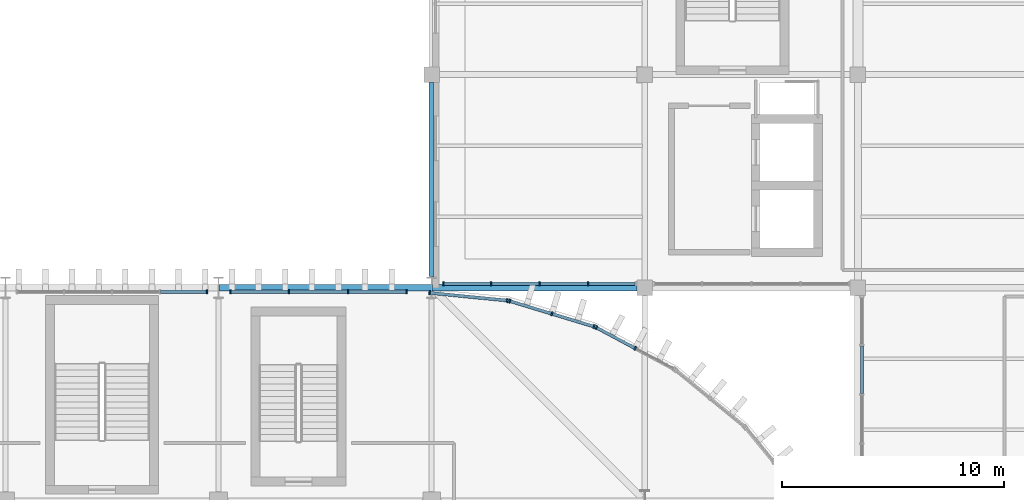
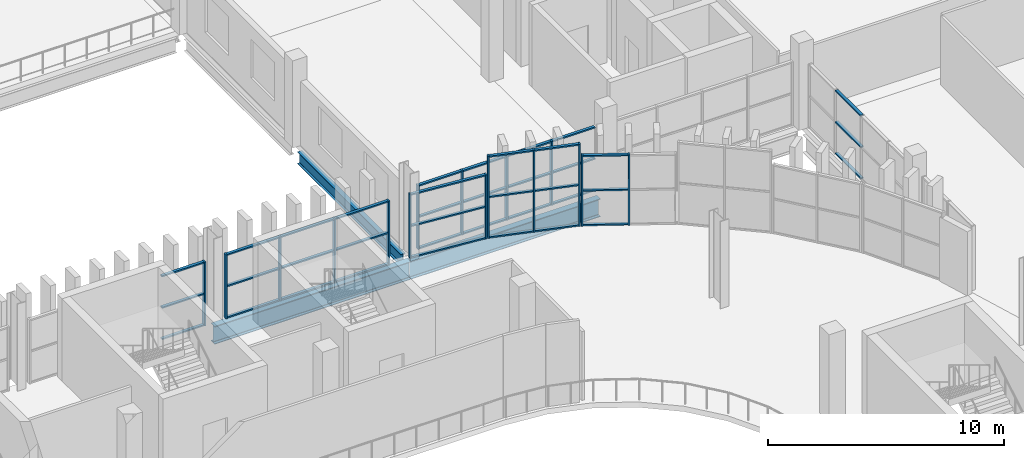
# One storey, part 27 of 75: 55 members, 3 beams, 7 elements without a shape of their own.
"""IFC4 building model written with IfcOpenShell, lengths in metres."""

from ifc_helpers import new_model, si_unit, direction, frame, origin, origin_2d, place, context, subcontext, project, spatial, rectangle, i_section, extrude, material, layer, layer_set, material_profile, profile_set, type_object, element, aggregate, save


model = new_model("IFC4")

# Units and contexts
model_context = context("Model", 3, precision=1e-05, world=origin(), true_north=direction((0.0, 1.0)))
body_context = subcontext(model_context, "Body", "Model", "MODEL_VIEW")
ifc_project = project(units=[si_unit("LENGTHUNIT", "METRE"), si_unit("AREAUNIT", "SQUARE_METRE"), si_unit("VOLUMEUNIT", "CUBIC_METRE"), si_unit("PLANEANGLEUNIT", "RADIAN"), si_unit("MASSUNIT", "GRAM", prefix="KILO")], contexts=[model_context])

# Site, building, storey
site_placement = place(None, origin())
site = spatial("IfcSite", under=ifc_project, at=site_placement, CompositionType="ELEMENT")
building_placement = place(site_placement, origin())
building = spatial("IfcBuilding", under=site, at=building_placement, Name="Caelomonte Colonnade Arena", CompositionType="ELEMENT")
storey_placement = place(building_placement, frame((0.0, 0.0, 14.10009765625)))
storey = spatial("IfcBuildingStorey", under=building, at=storey_placement, Name="L03", CompositionType="ELEMENT", Elevation=14.10009765625)

# Curtain wall, members
ifc_material_1 = material(Name="Bronze anodised aluminium and low-E glazing", Category="aluminium")
ifc_layer_1 = layer(ifc_material_1, 0.179931640625)
ifc_layer_set_1 = layer_set([ifc_layer_1], Name="Bronze anodised aluminium and low-E glazing")
curtain_wall_type_1 = type_object("IfcCurtainWallType", Name="ENV-CW-CW-L03-96-33", PredefinedType="USERDEFINED", material=ifc_layer_set_1)
curtain_wall_1_placement = place(storey_placement, origin())
curtain_wall_1 = element("IfcCurtainWall", 1, at=curtain_wall_1_placement, inside=storey, type_object=curtain_wall_type_1, Name="L03 unitized curtain wall CW-L03-1488-1154", ObjectType="UNITIZED CURTAIN WALL", PredefinedType="USERDEFINED")
ifc_material_2 = material(Name="Bronze anodised aluminium AA6063-T6", Category="aluminium")
ifc_material_profile_1 = material_profile(ifc_material_2, rectangle(XDim=0.070068359375, YDim=0.179931640625, at=origin_2d()), Name="CWM-70X180")
ifc_profile_set_1 = profile_set([ifc_material_profile_1], Name="Bronze anodised aluminium AA6063-T6")
member_type_1 = type_object("IfcMemberType", Name="ENV-CW-MULL1", PredefinedType="MULLION", material=ifc_profile_set_1)
member_1_placement = place(storey_placement, frame((144.52880859375, 115.3798828125, 0.0), z_axis=(0.0, 0.0, 1.0), x_axis=(1.0, 0.0, 0.0)))
member_1 = element("IfcMember", 2, at=member_1_placement, type_object=member_type_1, Name="CW-L03-96-33 mullion 1", PredefinedType="MULLION", context=body_context, shape_type="SweptSolid", body=[
    extrude(rectangle(XDim=0.070068359375, YDim=0.179931640625, at=origin_2d()), origin(), (0.0, 0.0, 1.0), 3.312744140625),
])
member_2_placement = place(storey_placement, frame((146.677734375, 115.3798828125, 0.0), z_axis=(0.0, 0.0, 1.0), x_axis=(1.0, 0.0, 0.0)))
member_2 = element("IfcMember", 3, at=member_2_placement, type_object=member_type_1, Name="CW-L03-96-33 mullion 2", PredefinedType="MULLION", context=body_context, shape_type="SweptSolid", body=[
    extrude(rectangle(XDim=0.070068359375, YDim=0.179931640625, at=origin_2d()), origin(), (0.0, 0.0, 1.0), 3.312744140625),
])
member_3_placement = place(storey_placement, frame((148.86181640625, 115.3798828125, 0.0), z_axis=(0.0, 0.0, 1.0), x_axis=(1.0, 0.0, 0.0)))
member_3 = element("IfcMember", 4, at=member_3_placement, type_object=member_type_1, Name="CW-L03-96-33 mullion 3", PredefinedType="MULLION", context=body_context, shape_type="SweptSolid", body=[
    extrude(rectangle(XDim=0.070068359375, YDim=0.179931640625, at=origin_2d()), origin(), (0.0, 0.0, 1.0), 3.312744140625),
])
member_4_placement = place(storey_placement, frame((151.0458984375, 115.3798828125, 0.0), z_axis=(0.0, 0.0, 1.0), x_axis=(1.0, 0.0, 0.0)))
member_4 = element("IfcMember", 5, at=member_4_placement, type_object=member_type_1, Name="CW-L03-96-33 mullion 4", PredefinedType="MULLION", context=body_context, shape_type="SweptSolid", body=[
    extrude(rectangle(XDim=0.070068359375, YDim=0.179931640625, at=origin_2d()), origin(), (0.0, 0.0, 1.0), 3.312744140625),
])

ifc_layer_2 = layer(ifc_material_1, 0.179931640625)
ifc_layer_set_2 = layer_set([ifc_layer_2], Name="Bronze anodised aluminium and low-E glazing")
curtain_wall_type_2 = type_object("IfcCurtainWallType", Name="ENV-CW-CW-L03-44-36", PredefinedType="USERDEFINED", material=ifc_layer_set_2)
curtain_wall_2_placement = place(storey_placement, origin())
curtain_wall_2 = element("IfcCurtainWall", 6, at=curtain_wall_2_placement, inside=storey, type_object=curtain_wall_type_2, Name="L03 unitized curtain wall CW-L03-1532-1125", ObjectType="UNITIZED CURTAIN WALL", PredefinedType="USERDEFINED")
member_5_placement = place(storey_placement, frame((153.166748046875, 112.472412109375, 0.0), z_axis=(0.0, 0.0, 1.0), x_axis=(-0.881922613642, 0.471394212466, 0.0)))
member_5 = element("IfcMember", 7, at=member_5_placement, type_object=member_type_1, Name="CW-L03-44-36 mullion 2", PredefinedType="MULLION", context=body_context, shape_type="SweptSolid", body=[
    extrude(rectangle(XDim=0.070068359375, YDim=0.179931640625, at=origin_2d()), origin(), (0.0, 0.0, 1.0), 3.637939453125),
])
member_6_placement = place(storey_placement, frame((151.417724609375, 113.407470703125, 0.0), z_axis=(0.0, 0.0, 1.0), x_axis=(-0.881922613642, 0.471394212466, 0.0)))
member_6 = element("IfcMember", 8, at=member_6_placement, type_object=member_type_1, Name="CW-L03-44-36 mullion 3", PredefinedType="MULLION", context=body_context, shape_type="SweptSolid", body=[
    extrude(rectangle(XDim=0.070068359375, YDim=0.179931640625, at=origin_2d()), origin(), (0.0, 0.0, 1.0), 3.637939453125),
])

ifc_layer_3 = layer(ifc_material_1, 0.179931640625)
ifc_layer_set_3 = layer_set([ifc_layer_3], Name="Bronze anodised aluminium and low-E glazing")
curtain_wall_type_3 = type_object("IfcCurtainWallType", Name="ENV-CW-CW-L03-44-42", PredefinedType="USERDEFINED", material=ifc_layer_set_3)
curtain_wall_3_placement = place(storey_placement, origin())
curtain_wall_3 = element("IfcCurtainWall", 9, at=curtain_wall_3_placement, inside=storey, type_object=curtain_wall_type_3, Name="L03 unitized curtain wall CW-L03-1494-1140", ObjectType="UNITIZED CURTAIN WALL", PredefinedType="USERDEFINED")
member_7_placement = place(storey_placement, frame((151.3125, 113.451171875, 0.0), z_axis=(0.0, 0.0, 1.0), x_axis=(-0.956949160999, 0.290255582655, 0.0)))
member_7 = element("IfcMember", 10, at=member_7_placement, type_object=member_type_1, Name="CW-L03-44-42 mullion 1", PredefinedType="MULLION", context=body_context, shape_type="SweptSolid", body=[
    extrude(rectangle(XDim=0.070068359375, YDim=0.179931640625, at=origin_2d()), origin(), (0.0, 0.0, 1.0), 4.239990234375),
])
member_8_placement = place(storey_placement, frame((149.414306640625, 114.02685546875, 0.0), z_axis=(0.0, 0.0, 1.0), x_axis=(-0.956949160999, 0.290255582655, 0.0)))
member_8 = element("IfcMember", 11, at=member_8_placement, type_object=member_type_1, Name="CW-L03-44-42 mullion 2", PredefinedType="MULLION", context=body_context, shape_type="SweptSolid", body=[
    extrude(rectangle(XDim=0.070068359375, YDim=0.179931640625, at=origin_2d()), origin(), (0.0, 0.0, 1.0), 4.239990234375),
])
member_9_placement = place(storey_placement, frame((147.516357421875, 114.6025390625, 0.0), z_axis=(0.0, 0.0, 1.0), x_axis=(-0.956949160999, 0.290255582655, 0.0)))
member_9 = element("IfcMember", 12, at=member_9_placement, type_object=member_type_1, Name="CW-L03-44-42 mullion 3", PredefinedType="MULLION", context=body_context, shape_type="SweptSolid", body=[
    extrude(rectangle(XDim=0.070068359375, YDim=0.179931640625, at=origin_2d()), origin(), (0.0, 0.0, 1.0), 4.239990234375),
])

ifc_layer_4 = layer(ifc_material_1, 0.179931640625)
ifc_layer_set_4 = layer_set([ifc_layer_4], Name="Bronze anodised aluminium and low-E glazing")
curtain_wall_type_4 = type_object("IfcCurtainWallType", Name="ENV-CW-CW-L03-42-33", PredefinedType="USERDEFINED", material=ifc_layer_set_4)
curtain_wall_4_placement = place(storey_placement, origin())
curtain_wall_4 = element("IfcCurtainWall", 13, at=curtain_wall_4_placement, inside=storey, type_object=curtain_wall_type_4, Name="L03 unitized curtain wall CW-L03-1455-1148", ObjectType="UNITIZED CURTAIN WALL", PredefinedType="USERDEFINED")
member_10_placement = place(storey_placement, frame((147.404541015625, 114.624755859375, 0.0), z_axis=(0.0, 0.0, 1.0), x_axis=(-0.995184476904, 0.09801967624, 0.0)))
member_10 = element("IfcMember", 14, at=member_10_placement, type_object=member_type_1, Name="CW-L03-42-33 mullion 1", PredefinedType="MULLION", context=body_context, shape_type="SweptSolid", body=[
    extrude(rectangle(XDim=0.070068359375, YDim=0.179931640625, at=origin_2d()), origin(), (0.0, 0.0, 1.0), 3.312744140625),
])
member_11_placement = place(storey_placement, frame((143.908447265625, 114.968994140625, 0.0), z_axis=(0.0, 0.0, 1.0), x_axis=(-0.995184476904, 0.09801967624, 0.0)))
member_11 = element("IfcMember", 15, at=member_11_placement, type_object=member_type_1, Name="CW-L03-42-33 mullion 2", PredefinedType="MULLION", context=body_context, shape_type="SweptSolid", body=[
    extrude(rectangle(XDim=0.070068359375, YDim=0.179931640625, at=origin_2d()), origin(), (0.0, 0.0, 1.0), 3.312744140625),
])

ifc_layer_5 = layer(ifc_material_1, 0.179931640625)
ifc_layer_set_5 = layer_set([ifc_layer_5], Name="Bronze anodised aluminium and low-E glazing")
curtain_wall_type_5 = type_object("IfcCurtainWallType", Name="ENV-CW-CW-L03-90-33", PredefinedType="USERDEFINED", material=ifc_layer_set_5)
curtain_wall_5_placement = place(storey_placement, origin())
curtain_wall_5 = element("IfcCurtainWall", 16, at=curtain_wall_5_placement, inside=storey, type_object=curtain_wall_type_5, Name="L03 unitized curtain wall CW-L03-1389-1150", ObjectType="UNITIZED CURTAIN WALL", PredefinedType="USERDEFINED")
member_12_placement = place(storey_placement, frame((142.871337890625, 115.02001953125, 0.0), z_axis=(0.0, 0.0, 1.0), x_axis=(-1.0, 0.0, 0.0)))
member_12 = element("IfcMember", 17, at=member_12_placement, type_object=member_type_1, Name="CW-L03-90-33 mullion 1", PredefinedType="MULLION", context=body_context, shape_type="SweptSolid", body=[
    extrude(rectangle(XDim=0.070068359375, YDim=0.179931640625, at=origin_2d()), origin(), (0.0, 0.0, 1.0), 3.312744140625),
])
member_13_placement = place(storey_placement, frame((140.2353515625, 115.02001953125, 0.0), z_axis=(0.0, 0.0, 1.0), x_axis=(-1.0, 0.0, 0.0)))
member_13 = element("IfcMember", 18, at=member_13_placement, type_object=member_type_1, Name="CW-L03-90-33 mullion 2", PredefinedType="MULLION", context=body_context, shape_type="SweptSolid", body=[
    extrude(rectangle(XDim=0.070068359375, YDim=0.179931640625, at=origin_2d()), origin(), (0.0, 0.0, 1.0), 3.312744140625),
])
member_14_placement = place(storey_placement, frame((137.564453125, 115.02001953125, 0.0), z_axis=(0.0, 0.0, 1.0), x_axis=(-1.0, 0.0, 0.0)))
member_14 = element("IfcMember", 19, at=member_14_placement, type_object=member_type_1, Name="CW-L03-90-33 mullion 3", PredefinedType="MULLION", context=body_context, shape_type="SweptSolid", body=[
    extrude(rectangle(XDim=0.070068359375, YDim=0.179931640625, at=origin_2d()), origin(), (0.0, 0.0, 1.0), 3.312744140625),
])
member_15_placement = place(storey_placement, frame((134.9287109375, 115.02001953125, 0.0), z_axis=(0.0, 0.0, 1.0), x_axis=(-1.0, 0.0, 0.0)))
member_15 = element("IfcMember", 20, at=member_15_placement, type_object=member_type_1, Name="CW-L03-90-33 mullion 4", PredefinedType="MULLION", context=body_context, shape_type="SweptSolid", body=[
    extrude(rectangle(XDim=0.070068359375, YDim=0.179931640625, at=origin_2d()), origin(), (0.0, 0.0, 1.0), 3.312744140625),
])

# Curtain wall, member
curtain_wall_6_placement = place(storey_placement, origin())
curtain_wall_6 = element("IfcCurtainWall", 21, at=curtain_wall_6_placement, inside=storey, type_object=curtain_wall_type_1, Name="L03 unitized curtain wall CW-L03-1296-1150", ObjectType="UNITIZED CURTAIN WALL", PredefinedType="USERDEFINED")
member_16_placement = place(storey_placement, frame((133.871337890625, 115.02001953125, 0.0), z_axis=(0.0, 0.0, 1.0), x_axis=(-1.0, 0.0, 0.0)))
member_16 = element("IfcMember", 22, at=member_16_placement, type_object=member_type_1, Name="CW-L03-96-33 mullion 1", PredefinedType="MULLION", context=body_context, shape_type="SweptSolid", body=[
    extrude(rectangle(XDim=0.070068359375, YDim=0.179931640625, at=origin_2d()), origin(), (0.0, 0.0, 1.0), 3.312744140625),
])

# Member
ifc_material_profile_2 = material_profile(ifc_material_2, rectangle(XDim=0.070068359375, YDim=0.139892578125, at=origin_2d()), Name="CWT-70X140")
ifc_profile_set_2 = profile_set([ifc_material_profile_2], Name="Bronze anodised aluminium AA6063-T6")
member_type_2 = type_object("IfcMemberType", Name="ENV-CW-TRAN1", PredefinedType="USERDEFINED", material=ifc_profile_set_2)
member_17_placement = place(storey_placement, frame((144.563720703125, 115.3798828125, 0.034912109375), z_axis=(1.0, 0.0, 0.0), x_axis=(0.0, 0.0, 1.0)))
member_17 = element("IfcMember", 23, at=member_17_placement, type_object=member_type_2, Name="CW-L03-96-33 transom 1.1", ObjectType="TRANSOM", PredefinedType="USERDEFINED", context=body_context, shape_type="SweptSolid", body=[
    extrude(rectangle(XDim=0.070068359375, YDim=0.139892578125, at=origin_2d()), origin(), (0.0, 0.0, 1.0), 2.0791015625),
])

member_18_placement = place(storey_placement, frame((144.563720703125, 115.3798828125, 1.65625), z_axis=(1.0, 0.0, 0.0), x_axis=(0.0, 0.0, 1.0)))
member_18 = element("IfcMember", 24, at=member_18_placement, type_object=member_type_2, Name="CW-L03-96-33 transom 1.2", ObjectType="TRANSOM", PredefinedType="USERDEFINED", context=body_context, shape_type="SweptSolid", body=[
    extrude(rectangle(XDim=0.070068359375, YDim=0.139892578125, at=origin_2d()), origin(), (0.0, 0.0, 1.0), 2.0791015625),
])

member_19_placement = place(storey_placement, frame((144.563720703125, 115.3798828125, 3.277587890625), z_axis=(1.0, 0.0, 0.0), x_axis=(0.0, 0.0, 1.0)))
member_19 = element("IfcMember", 25, at=member_19_placement, type_object=member_type_2, Name="CW-L03-96-33 transom 1.3", ObjectType="TRANSOM", PredefinedType="USERDEFINED", context=body_context, shape_type="SweptSolid", body=[
    extrude(rectangle(XDim=0.070068359375, YDim=0.139892578125, at=origin_2d()), origin(), (0.0, 0.0, 1.0), 2.0791015625),
])

member_20_placement = place(storey_placement, frame((146.712890625, 115.3798828125, 0.034912109375), z_axis=(1.0, 0.0, 0.0), x_axis=(0.0, 0.0, 1.0)))
member_20 = element("IfcMember", 26, at=member_20_placement, type_object=member_type_2, Name="CW-L03-96-33 transom 2.1", ObjectType="TRANSOM", PredefinedType="USERDEFINED", context=body_context, shape_type="SweptSolid", body=[
    extrude(rectangle(XDim=0.070068359375, YDim=0.139892578125, at=origin_2d()), origin(), (0.0, 0.0, 1.0), 2.114013671875),
])

member_21_placement = place(storey_placement, frame((146.712890625, 115.3798828125, 1.65625), z_axis=(1.0, 0.0, 0.0), x_axis=(0.0, 0.0, 1.0)))
member_21 = element("IfcMember", 27, at=member_21_placement, type_object=member_type_2, Name="CW-L03-96-33 transom 2.2", ObjectType="TRANSOM", PredefinedType="USERDEFINED", context=body_context, shape_type="SweptSolid", body=[
    extrude(rectangle(XDim=0.070068359375, YDim=0.139892578125, at=origin_2d()), origin(), (0.0, 0.0, 1.0), 2.114013671875),
])

member_22_placement = place(storey_placement, frame((146.712890625, 115.3798828125, 3.277587890625), z_axis=(1.0, 0.0, 0.0), x_axis=(0.0, 0.0, 1.0)))
member_22 = element("IfcMember", 28, at=member_22_placement, type_object=member_type_2, Name="CW-L03-96-33 transom 2.3", ObjectType="TRANSOM", PredefinedType="USERDEFINED", context=body_context, shape_type="SweptSolid", body=[
    extrude(rectangle(XDim=0.070068359375, YDim=0.139892578125, at=origin_2d()), origin(), (0.0, 0.0, 1.0), 2.114013671875),
])

member_23_placement = place(storey_placement, frame((148.896728515625, 115.3798828125, 0.034912109375), z_axis=(1.0, 0.0, 0.0), x_axis=(0.0, 0.0, 1.0)))
member_23 = element("IfcMember", 29, at=member_23_placement, type_object=member_type_2, Name="CW-L03-96-33 transom 3.1", ObjectType="TRANSOM", PredefinedType="USERDEFINED", context=body_context, shape_type="SweptSolid", body=[
    extrude(rectangle(XDim=0.070068359375, YDim=0.139892578125, at=origin_2d()), origin(), (0.0, 0.0, 1.0), 2.1142578125),
])

member_24_placement = place(storey_placement, frame((148.896728515625, 115.3798828125, 1.65625), z_axis=(1.0, 0.0, 0.0), x_axis=(0.0, 0.0, 1.0)))
member_24 = element("IfcMember", 30, at=member_24_placement, type_object=member_type_2, Name="CW-L03-96-33 transom 3.2", ObjectType="TRANSOM", PredefinedType="USERDEFINED", context=body_context, shape_type="SweptSolid", body=[
    extrude(rectangle(XDim=0.070068359375, YDim=0.139892578125, at=origin_2d()), origin(), (0.0, 0.0, 1.0), 2.1142578125),
])

member_25_placement = place(storey_placement, frame((148.896728515625, 115.3798828125, 3.277587890625), z_axis=(1.0, 0.0, 0.0), x_axis=(0.0, 0.0, 1.0)))
member_25 = element("IfcMember", 31, at=member_25_placement, type_object=member_type_2, Name="CW-L03-96-33 transom 3.3", ObjectType="TRANSOM", PredefinedType="USERDEFINED", context=body_context, shape_type="SweptSolid", body=[
    extrude(rectangle(XDim=0.070068359375, YDim=0.139892578125, at=origin_2d()), origin(), (0.0, 0.0, 1.0), 2.1142578125),
])

member_26_placement = place(storey_placement, frame((151.080810546875, 115.3798828125, 0.034912109375), z_axis=(1.0, 0.0, 0.0), x_axis=(0.0, 0.0, 1.0)))
member_26 = element("IfcMember", 32, at=member_26_placement, type_object=member_type_2, Name="CW-L03-96-33 transom 4.1", ObjectType="TRANSOM", PredefinedType="USERDEFINED", context=body_context, shape_type="SweptSolid", body=[
    extrude(rectangle(XDim=0.070068359375, YDim=0.139892578125, at=origin_2d()), origin(), (0.0, 0.0, 1.0), 2.0791015625),
])

member_27_placement = place(storey_placement, frame((151.080810546875, 115.3798828125, 1.65625), z_axis=(1.0, 0.0, 0.0), x_axis=(0.0, 0.0, 1.0)))
member_27 = element("IfcMember", 33, at=member_27_placement, type_object=member_type_2, Name="CW-L03-96-33 transom 4.2", ObjectType="TRANSOM", PredefinedType="USERDEFINED", context=body_context, shape_type="SweptSolid", body=[
    extrude(rectangle(XDim=0.070068359375, YDim=0.139892578125, at=origin_2d()), origin(), (0.0, 0.0, 1.0), 2.0791015625),
])

member_28_placement = place(storey_placement, frame((151.080810546875, 115.3798828125, 3.277587890625), z_axis=(1.0, 0.0, 0.0), x_axis=(0.0, 0.0, 1.0)))
member_28 = element("IfcMember", 34, at=member_28_placement, type_object=member_type_2, Name="CW-L03-96-33 transom 4.3", ObjectType="TRANSOM", PredefinedType="USERDEFINED", context=body_context, shape_type="SweptSolid", body=[
    extrude(rectangle(XDim=0.070068359375, YDim=0.139892578125, at=origin_2d()), origin(), (0.0, 0.0, 1.0), 2.0791015625),
])

aggregate(curtain_wall_1, [member_1, member_2, member_3, member_4, member_17, member_18, member_19, member_20, member_21, member_22, member_23, member_24, member_25, member_26, member_27, member_28])

# Curtain wall, members
curtain_wall_7_placement = place(storey_placement, origin())
curtain_wall_7 = element("IfcCurtainWall", 35, at=curtain_wall_7_placement, inside=storey, type_object=curtain_wall_type_1, Name="L03 unitized curtain wall CW-L03-1634-1104", ObjectType="UNITIZED CURTAIN WALL", PredefinedType="USERDEFINED")
member_29_placement = place(storey_placement, frame((163.3798828125, 112.580078125, 0.034912109375), z_axis=(0.0, -1.0, 0.0), x_axis=(0.0, 0.0, 1.0)))
member_29 = element("IfcMember", 36, at=member_29_placement, type_object=member_type_2, Name="CW-L03-96-33 transom 2.1", ObjectType="TRANSOM", PredefinedType="USERDEFINED", context=body_context, shape_type="SweptSolid", body=[
    extrude(rectangle(XDim=0.070068359375, YDim=0.139892578125, at=origin_2d()), origin(), (0.0, 0.0, 1.0), 2.14501953125),
])
member_30_placement = place(storey_placement, frame((163.3798828125, 112.580078125, 1.65625), z_axis=(0.0, -1.0, 0.0), x_axis=(0.0, 0.0, 1.0)))
member_30 = element("IfcMember", 37, at=member_30_placement, type_object=member_type_2, Name="CW-L03-96-33 transom 2.2", ObjectType="TRANSOM", PredefinedType="USERDEFINED", context=body_context, shape_type="SweptSolid", body=[
    extrude(rectangle(XDim=0.070068359375, YDim=0.139892578125, at=origin_2d()), origin(), (0.0, 0.0, 1.0), 2.14501953125),
])
member_31_placement = place(storey_placement, frame((163.3798828125, 112.580078125, 3.277587890625), z_axis=(0.0, -1.0, 0.0), x_axis=(0.0, 0.0, 1.0)))
member_31 = element("IfcMember", 38, at=member_31_placement, type_object=member_type_2, Name="CW-L03-96-33 transom 2.3", ObjectType="TRANSOM", PredefinedType="USERDEFINED", context=body_context, shape_type="SweptSolid", body=[
    extrude(rectangle(XDim=0.070068359375, YDim=0.139892578125, at=origin_2d()), origin(), (0.0, 0.0, 1.0), 2.14501953125),
])
aggregate(curtain_wall_7, [member_29, member_30, member_31])

# Member
member_32_placement = place(storey_placement, frame((153.135986328125, 112.489013671875, 0.034912109375), z_axis=(-0.88194995936, 0.471343048304, 0.0), x_axis=(0.0, 0.0, 1.0)))
member_32 = element("IfcMember", 39, at=member_32_placement, type_object=member_type_2, Name="CW-L03-44-36 transom 2.1", ObjectType="TRANSOM", PredefinedType="USERDEFINED", context=body_context, shape_type="SweptSolid", body=[
    extrude(rectangle(XDim=0.070068359375, YDim=0.139892578125, at=origin_2d()), origin(), (0.0, 0.0, 1.0), 1.913330078125),
])

member_33_placement = place(storey_placement, frame((153.135986328125, 112.489013671875, 1.81884765625), z_axis=(-0.88194995936, 0.471343048304, 0.0), x_axis=(0.0, 0.0, 1.0)))
member_33 = element("IfcMember", 40, at=member_33_placement, type_object=member_type_2, Name="CW-L03-44-36 transom 2.2", ObjectType="TRANSOM", PredefinedType="USERDEFINED", context=body_context, shape_type="SweptSolid", body=[
    extrude(rectangle(XDim=0.070068359375, YDim=0.139892578125, at=origin_2d()), origin(), (0.0, 0.0, 1.0), 1.913330078125),
])

member_34_placement = place(storey_placement, frame((153.135986328125, 112.489013671875, 3.602783203125), z_axis=(-0.88194995936, 0.471343048304, 0.0), x_axis=(0.0, 0.0, 1.0)))
member_34 = element("IfcMember", 41, at=member_34_placement, type_object=member_type_2, Name="CW-L03-44-36 transom 2.3", ObjectType="TRANSOM", PredefinedType="USERDEFINED", context=body_context, shape_type="SweptSolid", body=[
    extrude(rectangle(XDim=0.070068359375, YDim=0.139892578125, at=origin_2d()), origin(), (0.0, 0.0, 1.0), 1.913330078125),
])

aggregate(curtain_wall_2, [member_5, member_6, member_32, member_33, member_34])

member_35_placement = place(storey_placement, frame((151.27880859375, 113.461181640625, 0.034912109375), z_axis=(-0.956933131783, 0.290308424431, 0.0), x_axis=(0.0, 0.0, 1.0)))
member_35 = element("IfcMember", 42, at=member_35_placement, type_object=member_type_2, Name="CW-L03-44-42 transom 1.1", ObjectType="TRANSOM", PredefinedType="USERDEFINED", context=body_context, shape_type="SweptSolid", body=[
    extrude(rectangle(XDim=0.070068359375, YDim=0.139892578125, at=origin_2d()), origin(), (0.0, 0.0, 1.0), 1.9130859375),
])

member_36_placement = place(storey_placement, frame((151.27880859375, 113.461181640625, 2.119873046875), z_axis=(-0.956933131783, 0.290308424431, 0.0), x_axis=(0.0, 0.0, 1.0)))
member_36 = element("IfcMember", 43, at=member_36_placement, type_object=member_type_2, Name="CW-L03-44-42 transom 1.2", ObjectType="TRANSOM", PredefinedType="USERDEFINED", context=body_context, shape_type="SweptSolid", body=[
    extrude(rectangle(XDim=0.070068359375, YDim=0.139892578125, at=origin_2d()), origin(), (0.0, 0.0, 1.0), 1.9130859375),
])

member_37_placement = place(storey_placement, frame((151.27880859375, 113.461181640625, 4.204833984375), z_axis=(-0.956933131783, 0.290308424431, 0.0), x_axis=(0.0, 0.0, 1.0)))
member_37 = element("IfcMember", 44, at=member_37_placement, type_object=member_type_2, Name="CW-L03-44-42 transom 1.3", ObjectType="TRANSOM", PredefinedType="USERDEFINED", context=body_context, shape_type="SweptSolid", body=[
    extrude(rectangle(XDim=0.070068359375, YDim=0.139892578125, at=origin_2d()), origin(), (0.0, 0.0, 1.0), 1.9130859375),
])

member_38_placement = place(storey_placement, frame((149.380859375, 114.036865234375, 0.034912109375), z_axis=(-0.956943884494, 0.290272978297, 0.0), x_axis=(0.0, 0.0, 1.0)))
member_38 = element("IfcMember", 45, at=member_38_placement, type_object=member_type_2, Name="CW-L03-44-42 transom 2.1", ObjectType="TRANSOM", PredefinedType="USERDEFINED", context=body_context, shape_type="SweptSolid", body=[
    extrude(rectangle(XDim=0.070068359375, YDim=0.139892578125, at=origin_2d()), origin(), (0.0, 0.0, 1.0), 1.913330078125),
])

member_39_placement = place(storey_placement, frame((149.380859375, 114.036865234375, 2.119873046875), z_axis=(-0.956943884494, 0.290272978297, 0.0), x_axis=(0.0, 0.0, 1.0)))
member_39 = element("IfcMember", 46, at=member_39_placement, type_object=member_type_2, Name="CW-L03-44-42 transom 2.2", ObjectType="TRANSOM", PredefinedType="USERDEFINED", context=body_context, shape_type="SweptSolid", body=[
    extrude(rectangle(XDim=0.070068359375, YDim=0.139892578125, at=origin_2d()), origin(), (0.0, 0.0, 1.0), 1.913330078125),
])

member_40_placement = place(storey_placement, frame((149.380859375, 114.036865234375, 4.204833984375), z_axis=(-0.956943884494, 0.290272978297, 0.0), x_axis=(0.0, 0.0, 1.0)))
member_40 = element("IfcMember", 47, at=member_40_placement, type_object=member_type_2, Name="CW-L03-44-42 transom 2.3", ObjectType="TRANSOM", PredefinedType="USERDEFINED", context=body_context, shape_type="SweptSolid", body=[
    extrude(rectangle(XDim=0.070068359375, YDim=0.139892578125, at=origin_2d()), origin(), (0.0, 0.0, 1.0), 1.913330078125),
])

aggregate(curtain_wall_3, [member_7, member_8, member_9, member_35, member_36, member_37, member_38, member_39, member_40])

member_41_placement = place(storey_placement, frame((147.36962890625, 114.628173828125, 0.034912109375), z_axis=(-0.995186306112, 0.098001102683, 0.0), x_axis=(0.0, 0.0, 1.0)))
member_41 = element("IfcMember", 48, at=member_41_placement, type_object=member_type_2, Name="CW-L03-42-33 transom 1.1", ObjectType="TRANSOM", PredefinedType="USERDEFINED", context=body_context, shape_type="SweptSolid", body=[
    extrude(rectangle(XDim=0.070068359375, YDim=0.139892578125, at=origin_2d()), origin(), (0.0, 0.0, 1.0), 3.44287109375),
])

member_42_placement = place(storey_placement, frame((147.36962890625, 114.628173828125, 1.65625), z_axis=(-0.995186306112, 0.098001102683, 0.0), x_axis=(0.0, 0.0, 1.0)))
member_42 = element("IfcMember", 49, at=member_42_placement, type_object=member_type_2, Name="CW-L03-42-33 transom 1.2", ObjectType="TRANSOM", PredefinedType="USERDEFINED", context=body_context, shape_type="SweptSolid", body=[
    extrude(rectangle(XDim=0.070068359375, YDim=0.139892578125, at=origin_2d()), origin(), (0.0, 0.0, 1.0), 3.44287109375),
])

member_43_placement = place(storey_placement, frame((147.36962890625, 114.628173828125, 3.277587890625), z_axis=(-0.995186306112, 0.098001102683, 0.0), x_axis=(0.0, 0.0, 1.0)))
member_43 = element("IfcMember", 50, at=member_43_placement, type_object=member_type_2, Name="CW-L03-42-33 transom 1.3", ObjectType="TRANSOM", PredefinedType="USERDEFINED", context=body_context, shape_type="SweptSolid", body=[
    extrude(rectangle(XDim=0.070068359375, YDim=0.139892578125, at=origin_2d()), origin(), (0.0, 0.0, 1.0), 3.44287109375),
])

aggregate(curtain_wall_4, [member_10, member_11, member_41, member_42, member_43])

member_44_placement = place(storey_placement, frame((142.836181640625, 115.02001953125, 0.034912109375), z_axis=(-1.0, 0.0, 0.0), x_axis=(0.0, 0.0, 1.0)))
member_44 = element("IfcMember", 51, at=member_44_placement, type_object=member_type_2, Name="CW-L03-90-33 transom 1.1", ObjectType="TRANSOM", PredefinedType="USERDEFINED", context=body_context, shape_type="SweptSolid", body=[
    extrude(rectangle(XDim=0.070068359375, YDim=0.139892578125, at=origin_2d()), origin(), (0.0, 0.0, 1.0), 2.565673828125),
])

member_45_placement = place(storey_placement, frame((142.836181640625, 115.02001953125, 1.65625), z_axis=(-1.0, 0.0, 0.0), x_axis=(0.0, 0.0, 1.0)))
member_45 = element("IfcMember", 52, at=member_45_placement, type_object=member_type_2, Name="CW-L03-90-33 transom 1.2", ObjectType="TRANSOM", PredefinedType="USERDEFINED", context=body_context, shape_type="SweptSolid", body=[
    extrude(rectangle(XDim=0.070068359375, YDim=0.139892578125, at=origin_2d()), origin(), (0.0, 0.0, 1.0), 2.565673828125),
])

member_46_placement = place(storey_placement, frame((142.836181640625, 115.02001953125, 3.277587890625), z_axis=(-1.0, 0.0, 0.0), x_axis=(0.0, 0.0, 1.0)))
member_46 = element("IfcMember", 53, at=member_46_placement, type_object=member_type_2, Name="CW-L03-90-33 transom 1.3", ObjectType="TRANSOM", PredefinedType="USERDEFINED", context=body_context, shape_type="SweptSolid", body=[
    extrude(rectangle(XDim=0.070068359375, YDim=0.139892578125, at=origin_2d()), origin(), (0.0, 0.0, 1.0), 2.565673828125),
])

member_47_placement = place(storey_placement, frame((140.200439453125, 115.02001953125, 0.034912109375), z_axis=(-1.0, 0.0, 0.0), x_axis=(0.0, 0.0, 1.0)))
member_47 = element("IfcMember", 54, at=member_47_placement, type_object=member_type_2, Name="CW-L03-90-33 transom 2.1", ObjectType="TRANSOM", PredefinedType="USERDEFINED", context=body_context, shape_type="SweptSolid", body=[
    extrude(rectangle(XDim=0.070068359375, YDim=0.139892578125, at=origin_2d()), origin(), (0.0, 0.0, 1.0), 2.600830078125),
])

member_48_placement = place(storey_placement, frame((140.200439453125, 115.02001953125, 1.65625), z_axis=(-1.0, 0.0, 0.0), x_axis=(0.0, 0.0, 1.0)))
member_48 = element("IfcMember", 55, at=member_48_placement, type_object=member_type_2, Name="CW-L03-90-33 transom 2.2", ObjectType="TRANSOM", PredefinedType="USERDEFINED", context=body_context, shape_type="SweptSolid", body=[
    extrude(rectangle(XDim=0.070068359375, YDim=0.139892578125, at=origin_2d()), origin(), (0.0, 0.0, 1.0), 2.600830078125),
])

member_49_placement = place(storey_placement, frame((140.200439453125, 115.02001953125, 3.277587890625), z_axis=(-1.0, 0.0, 0.0), x_axis=(0.0, 0.0, 1.0)))
member_49 = element("IfcMember", 56, at=member_49_placement, type_object=member_type_2, Name="CW-L03-90-33 transom 2.3", ObjectType="TRANSOM", PredefinedType="USERDEFINED", context=body_context, shape_type="SweptSolid", body=[
    extrude(rectangle(XDim=0.070068359375, YDim=0.139892578125, at=origin_2d()), origin(), (0.0, 0.0, 1.0), 2.600830078125),
])

member_50_placement = place(storey_placement, frame((137.529541015625, 115.02001953125, 0.034912109375), z_axis=(-1.0, 0.0, 0.0), x_axis=(0.0, 0.0, 1.0)))
member_50 = element("IfcMember", 57, at=member_50_placement, type_object=member_type_2, Name="CW-L03-90-33 transom 3.1", ObjectType="TRANSOM", PredefinedType="USERDEFINED", context=body_context, shape_type="SweptSolid", body=[
    extrude(rectangle(XDim=0.070068359375, YDim=0.139892578125, at=origin_2d()), origin(), (0.0, 0.0, 1.0), 2.56591796875),
])

member_51_placement = place(storey_placement, frame((137.529541015625, 115.02001953125, 1.65625), z_axis=(-1.0, 0.0, 0.0), x_axis=(0.0, 0.0, 1.0)))
member_51 = element("IfcMember", 58, at=member_51_placement, type_object=member_type_2, Name="CW-L03-90-33 transom 3.2", ObjectType="TRANSOM", PredefinedType="USERDEFINED", context=body_context, shape_type="SweptSolid", body=[
    extrude(rectangle(XDim=0.070068359375, YDim=0.139892578125, at=origin_2d()), origin(), (0.0, 0.0, 1.0), 2.56591796875),
])

member_52_placement = place(storey_placement, frame((137.529541015625, 115.02001953125, 3.277587890625), z_axis=(-1.0, 0.0, 0.0), x_axis=(0.0, 0.0, 1.0)))
member_52 = element("IfcMember", 59, at=member_52_placement, type_object=member_type_2, Name="CW-L03-90-33 transom 3.3", ObjectType="TRANSOM", PredefinedType="USERDEFINED", context=body_context, shape_type="SweptSolid", body=[
    extrude(rectangle(XDim=0.070068359375, YDim=0.139892578125, at=origin_2d()), origin(), (0.0, 0.0, 1.0), 2.56591796875),
])

aggregate(curtain_wall_5, [member_12, member_13, member_14, member_15, member_44, member_45, member_46, member_47, member_48, member_49, member_50, member_51, member_52])

member_53_placement = place(storey_placement, frame((133.836181640625, 115.02001953125, 0.034912109375), z_axis=(-1.0, 0.0, 0.0), x_axis=(0.0, 0.0, 1.0)))
member_53 = element("IfcMember", 60, at=member_53_placement, type_object=member_type_2, Name="CW-L03-96-33 transom 1.1", ObjectType="TRANSOM", PredefinedType="USERDEFINED", context=body_context, shape_type="SweptSolid", body=[
    extrude(rectangle(XDim=0.070068359375, YDim=0.139892578125, at=origin_2d()), origin(), (0.0, 0.0, 1.0), 2.048095703125),
])

member_54_placement = place(storey_placement, frame((133.836181640625, 115.02001953125, 1.65625), z_axis=(-1.0, 0.0, 0.0), x_axis=(0.0, 0.0, 1.0)))
member_54 = element("IfcMember", 61, at=member_54_placement, type_object=member_type_2, Name="CW-L03-96-33 transom 1.2", ObjectType="TRANSOM", PredefinedType="USERDEFINED", context=body_context, shape_type="SweptSolid", body=[
    extrude(rectangle(XDim=0.070068359375, YDim=0.139892578125, at=origin_2d()), origin(), (0.0, 0.0, 1.0), 2.048095703125),
])

member_55_placement = place(storey_placement, frame((133.836181640625, 115.02001953125, 3.277587890625), z_axis=(-1.0, 0.0, 0.0), x_axis=(0.0, 0.0, 1.0)))
member_55 = element("IfcMember", 62, at=member_55_placement, type_object=member_type_2, Name="CW-L03-96-33 transom 1.3", ObjectType="TRANSOM", PredefinedType="USERDEFINED", context=body_context, shape_type="SweptSolid", body=[
    extrude(rectangle(XDim=0.070068359375, YDim=0.139892578125, at=origin_2d()), origin(), (0.0, 0.0, 1.0), 2.048095703125),
])

aggregate(curtain_wall_6, [member_16, member_53, member_54, member_55])

# Beams
ifc_material_3 = material(Name="Wide-flange steel ASTM A992 Grade 50", Category="steel")
ifc_material_profile_3 = material_profile(ifc_material_3, i_section(OverallWidth=0.307861328125, OverallDepth=0.927001953125, WebThickness=0.019287109375, FlangeThickness=0.031982421875, FilletRadius=0.020263671875, at=origin_2d()), Name="W36X194")
ifc_profile_set_3 = profile_set([ifc_material_profile_3], Name="Wide-flange steel ASTM A992 Grade 50")
beam_type_1 = type_object("IfcBeamType", Name="STR-BM-EAVES2", PredefinedType="SPANDREL", material=ifc_profile_set_3)
beam_1_placement = place(storey_placement, frame((134.411865234375, 115.199951171875, -0.74365234375), z_axis=(1.0, 0.0, 0.0), x_axis=(0.0, 1.0, 0.0)))
element("IfcBeam", 63, at=beam_1_placement, inside=storey, type_object=beam_type_1, Name="L03 girder BMX-L03-1344-1152", PredefinedType="SPANDREL", context=body_context, shape_type="SweptSolid", body=[
    extrude(i_section(OverallWidth=0.307861328125, OverallDepth=0.927001953125, WebThickness=0.019287109375, FlangeThickness=0.031982421875, FilletRadius=0.020263671875, at=origin_2d()), origin(), (0.0, 0.0, 1.0), 9.576416015625),
])
beam_2_placement = place(storey_placement, frame((144.01171875, 115.199951171875, -0.74365234375), z_axis=(1.0, 0.0, 0.0), x_axis=(0.0, 1.0, 0.0)))
element("IfcBeam", 64, at=beam_2_placement, inside=storey, type_object=beam_type_1, Name="L03 girder BMX-L03-1440-1152", PredefinedType="SPANDREL", context=body_context, shape_type="SweptSolid", body=[
    extrude(i_section(OverallWidth=0.307861328125, OverallDepth=0.927001953125, WebThickness=0.019287109375, FlangeThickness=0.031982421875, FilletRadius=0.020263671875, at=origin_2d()), origin(), (0.0, 0.0, 1.0), 9.246337890625),
])
ifc_material_profile_4 = material_profile(ifc_material_3, i_section(OverallWidth=0.228271484375, OverallDepth=0.607177734375, WebThickness=0.01123046875, FlangeThickness=0.017333984375, FilletRadius=0.0126953125, at=origin_2d()), Name="W24X76")
ifc_profile_set_4 = profile_set([ifc_material_profile_4], Name="Wide-flange steel ASTM A992 Grade 50")
beam_type_2 = type_object("IfcBeamType", Name="STR-BM-GIRD24", PredefinedType="BEAM", material=ifc_profile_set_4)
beam_3_placement = place(storey_placement, frame((144.0, 115.697509765625, -0.58349609375), z_axis=(0.0, 1.0, 0.0), x_axis=(-1.0, 0.0, 0.0)))
element("IfcBeam", 65, at=beam_3_placement, inside=storey, type_object=beam_type_2, Name="L03 girder BMY-L03-1440-1152", PredefinedType="BEAM", context=body_context, shape_type="SweptSolid", body=[
    extrude(i_section(OverallWidth=0.228271484375, OverallDepth=0.607177734375, WebThickness=0.01123046875, FlangeThickness=0.017333984375, FilletRadius=0.0126953125, at=origin_2d()), origin(), (0.0, 0.0, 1.0), 8.760498046875),
])

save(model, "model.ifc")
